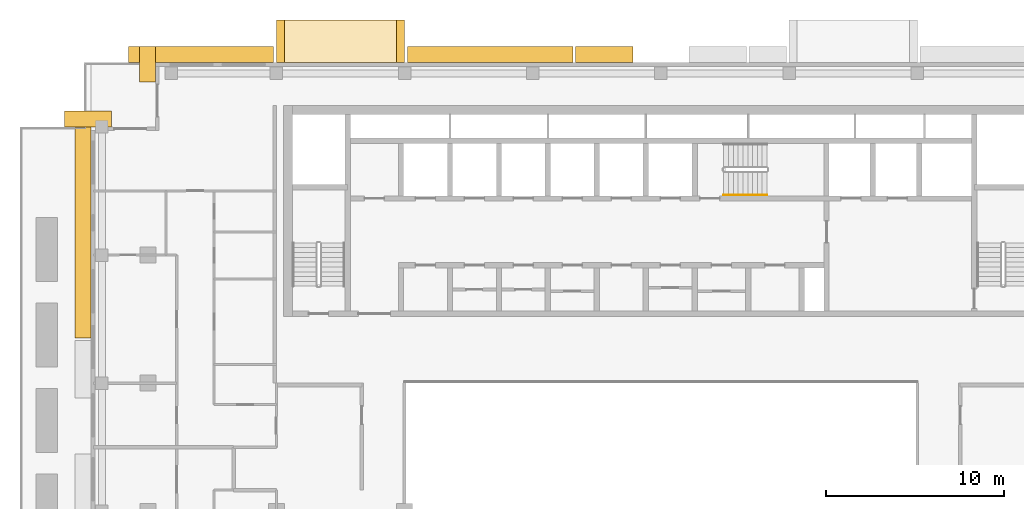
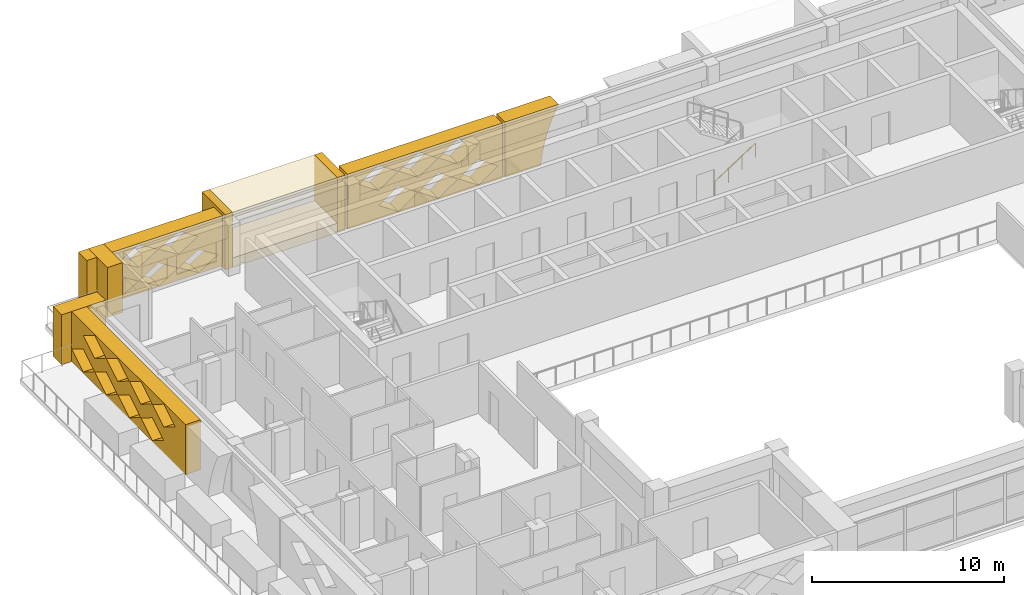
# One storey, part 17 of 19: 10 coverings, 1 railing.
"""IFC4 building model written with IfcOpenShell, lengths in metres."""

from ifc_helpers import new_model, si_unit, direction, frame, origin, origin_2d, place, context, subcontext, project, spatial, polyline, circle, outline, extrude, material, type_object, element, save


model = new_model("IFC4")

# Units and contexts
model_context = context("Model", 3, precision=1e-05, world=origin(), true_north=direction((0.0, 1.0)))
body_context = subcontext(model_context, "Body", "Model", "MODEL_VIEW")
ifc_project = project(units=[si_unit("LENGTHUNIT", "METRE"), si_unit("AREAUNIT", "SQUARE_METRE"), si_unit("VOLUMEUNIT", "CUBIC_METRE"), si_unit("PLANEANGLEUNIT", "RADIAN"), si_unit("MASSUNIT", "GRAM", prefix="KILO")], contexts=[model_context])

# Site, building, storey
site_placement = place(None, origin())
site = spatial("IfcSite", under=ifc_project, at=site_placement, CompositionType="ELEMENT")
building_placement = place(site_placement, origin())
building = spatial("IfcBuilding", under=site, at=building_placement, Name="Saffron Iwan Residences", CompositionType="ELEMENT")
storey_placement = place(building_placement, frame((0.0, 0.0, 211.5)))
storey = spatial("IfcBuildingStorey", under=building, at=storey_placement, Name="L56", CompositionType="ELEMENT", Elevation=211.5)

# Coverings
ifc_material_1 = material(Name="Precast concrete C40/50 white painted", Category="concrete")
covering_type_1 = type_object("IfcCoveringType", Name="IWAN PANEL PRECAST WHITE", PredefinedType="CLADDING", material=ifc_material_1)
covering_1_placement = place(storey_placement, frame((55.199951171875, 80.39990234375, -0.280029296875), z_axis=(0.0, 1.0, 0.0), x_axis=(-1.0, 0.0, 0.0)))
element("IfcCovering", 1, at=covering_1_placement, inside=storey, type_object=covering_type_1, Name="Iwan panel L56 F5.1", PredefinedType="CLADDING", context=body_context, shape_type="SweptSolid", body=[
    extrude(outline(polyline([(9.60009765625, 3.5), (9.60009765625, 0.0), (7.44970703125, 0.0), (7.386474609375, 0.532470703125), (7.245361328125, 1.241455078125), (7.048828125, 1.93701171875), (6.798095703125, 2.614990234375), (6.4951171875, 3.271484375), (6.366943359375, 3.5), (9.60009765625, 3.5)])), origin(), (0.0, 0.0, 1.0), 0.900146484375),
])
ifc_material_2 = material(Name="Precast concrete C40/50", Category="concrete")
covering_type_2 = type_object("IfcCoveringType", Name="OUTER SKIN LATTICE SCREEN", PredefinedType="CLADDING", material=ifc_material_2)
covering_2_placement = place(storey_placement, frame((45.449951171875, 80.39990234375, -0.280029296875), z_axis=(0.0, 1.0, 0.0), x_axis=(-1.0, 0.0, 0.0)))
element("IfcCovering", 2, at=covering_2_placement, inside=storey, type_object=covering_type_2, Name="OUTER SKIN lattice screen L56 F5.3", PredefinedType="CLADDING", context=body_context, shape_type="SweptSolid", body=[
    extrude(outline(polyline([(0.0, 0.0), (9.300048828125, 0.0), (9.300048828125, 3.5), (0.0, 3.5), (0.0, 0.0)]), holes=[polyline([(0.27001953125, 0.875), (1.449951171875, 0.06005859375), (2.6298828125, 0.875), (1.449951171875, 1.68994140625), (0.27001953125, 0.875)]), polyline([(2.669921875, 0.875), (3.85009765625, 0.06005859375), (5.030029296875, 0.875), (3.85009765625, 1.68994140625), (2.669921875, 0.875)]), polyline([(5.070068359375, 0.875), (6.25, 0.06005859375), (7.429931640625, 0.875), (6.25, 1.68994140625), (5.070068359375, 0.875)]), polyline([(1.469970703125, 2.625), (2.64990234375, 1.81005859375), (3.830078125, 2.625), (2.64990234375, 3.43994140625), (1.469970703125, 2.625)]), polyline([(3.8701171875, 2.625), (5.050048828125, 1.81005859375), (6.22998046875, 2.625), (5.050048828125, 3.43994140625), (3.8701171875, 2.625)]), polyline([(6.27001953125, 2.625), (7.449951171875, 1.81005859375), (8.6298828125, 2.625), (7.449951171875, 3.43994140625), (6.27001953125, 2.625)])]), origin(), (0.0, 0.0, 1.0), 0.900146484375),
])
covering_3_placement = place(storey_placement, frame((28.64990234375, 80.39990234375, 0.050048828125), z_axis=(0.0, 1.0, 0.0), x_axis=(-1.0, 0.0, 0.0)))
element("IfcCovering", 3, at=covering_3_placement, inside=storey, type_object=covering_type_2, Name="OUTER SKIN lattice screen L56 F5.4", PredefinedType="CLADDING", context=body_context, shape_type="SweptSolid", body=[
    extrude(outline(polyline([(0.0, 0.0), (8.14990234375, 0.0), (8.14990234375, 3.169921875), (0.0, 3.169921875), (0.0, 0.0)]), holes=[polyline([(0.27001953125, 0.79248046875), (1.449951171875, 0.06005859375), (2.6298828125, 0.79248046875), (1.449951171875, 1.52490234375), (0.27001953125, 0.79248046875)]), polyline([(2.669921875, 0.79248046875), (3.85009765625, 0.06005859375), (5.030029296875, 0.79248046875), (3.85009765625, 1.52490234375), (2.669921875, 0.79248046875)]), polyline([(5.070068359375, 0.79248046875), (6.25, 0.06005859375), (7.429931640625, 0.79248046875), (6.25, 1.52490234375), (5.070068359375, 0.79248046875)]), polyline([(1.469970703125, 2.37744140625), (2.64990234375, 1.64501953125), (3.830078125, 2.37744140625), (2.64990234375, 3.110107421875), (1.469970703125, 2.37744140625)]), polyline([(3.8701171875, 2.37744140625), (5.050048828125, 1.64501953125), (6.22998046875, 2.37744140625), (5.050048828125, 3.110107421875), (3.8701171875, 2.37744140625)])]), origin(), (0.0, 0.0, 1.0), 0.900146484375),
])
covering_4_placement = place(storey_placement, frame((22.0, 81.300048828125, 0.050048828125), z_axis=(-1.0, 0.0, 0.0), x_axis=(0.0, -1.0, 0.0)))
element("IfcCovering", 4, at=covering_4_placement, inside=storey, type_object=covering_type_2, Name="OUTER SKIN lattice screen L56 F6.0", PredefinedType="CLADDING", context=body_context, shape_type="SweptSolid", body=[
    extrude(outline(polyline([(0.0, 0.0), (1.97509765625, 0.0), (1.97509765625, 3.169921875), (0.0, 3.169921875), (0.0, 0.0)])), origin(), (0.0, 0.0, 1.0), 0.89990234375),
])
covering_5_placement = place(storey_placement, frame((19.550048828125, 76.800048828125, 0.050048828125), z_axis=(0.0, 1.0, 0.0), x_axis=(-1.0, 0.0, 0.0)))
element("IfcCovering", 5, at=covering_5_placement, inside=storey, type_object=covering_type_2, Name="OUTER SKIN lattice screen L56 F7.0", PredefinedType="CLADDING", context=body_context, shape_type="SweptSolid", body=[
    extrude(outline(polyline([(0.0, 0.0), (2.64990234375, 0.0), (2.64990234375, 3.169921875), (0.0, 3.169921875), (0.0, 0.0)])), origin(), (0.0, 0.0, 1.0), 0.89990234375),
])
covering_6_placement = place(storey_placement, frame((18.39990234375, 77.699951171875, 0.050048828125), z_axis=(-1.0, 0.0, 0.0), x_axis=(0.0, -1.0, 0.0)))
element("IfcCovering", 6, at=covering_6_placement, inside=storey, type_object=covering_type_2, Name="OUTER SKIN lattice screen L56 F8.0", PredefinedType="CLADDING", context=body_context, shape_type="SweptSolid", body=[
    extrude(outline(polyline([(0.0, 0.0), (12.75, 0.0), (12.75, 3.169921875), (0.0, 3.169921875), (0.0, 0.0)]), holes=[polyline([(0.919921875, 0.79248046875), (2.10009765625, 0.06005859375), (3.280029296875, 0.79248046875), (2.10009765625, 1.52490234375), (0.919921875, 0.79248046875)]), polyline([(3.320068359375, 0.79248046875), (4.5, 0.06005859375), (5.679931640625, 0.79248046875), (4.5, 1.52490234375), (3.320068359375, 0.79248046875)]), polyline([(5.719970703125, 0.79248046875), (6.89990234375, 0.06005859375), (8.080078125, 0.79248046875), (6.89990234375, 1.52490234375), (5.719970703125, 0.79248046875)]), polyline([(8.1201171875, 0.79248046875), (9.300048828125, 0.06005859375), (10.47998046875, 0.79248046875), (9.300048828125, 1.52490234375), (8.1201171875, 0.79248046875)]), polyline([(2.1201171875, 2.37744140625), (3.300048828125, 1.64501953125), (4.47998046875, 2.37744140625), (3.300048828125, 3.110107421875), (2.1201171875, 2.37744140625)]), polyline([(4.52001953125, 2.37744140625), (5.699951171875, 1.64501953125), (6.8798828125, 2.37744140625), (5.699951171875, 3.110107421875), (4.52001953125, 2.37744140625)]), polyline([(6.919921875, 2.37744140625), (8.10009765625, 1.64501953125), (9.280029296875, 2.37744140625), (8.10009765625, 3.110107421875), (6.919921875, 2.37744140625)]), polyline([(9.320068359375, 2.37744140625), (10.5, 1.64501953125), (11.679931640625, 2.37744140625), (10.5, 3.110107421875), (9.320068359375, 2.37744140625)])]), origin(), (0.0, 0.0, 1.0), 0.89990234375),
])

# Railing
ifc_material_3 = material(Name="Stainless steel 316", Category="steel")
railing_type = type_object("IfcRailingType", Name="Stair handrail 900", PredefinedType="HANDRAIL", material=ifc_material_3)
railing_placement = place(storey_placement, frame((53.925048828125, 72.97509765625, 0.175048828125)))
element("IfcRailing", 7, at=railing_placement, inside=storey, type_object=railing_type, Name="L56 ST-C stair handrail 1", PredefinedType="HANDRAIL", context=body_context, shape_type="SweptSolid", body=[
    extrude(circle(Radius=0.02392578125, at=origin_2d()), frame((0.0, 0.0, 0.8759765625), z_axis=(0.839153699163, 0.0, 0.543894354798), x_axis=(0.0, 1.0, 0.0)), (0.0, 0.0, 1.0), 2.895751953125),
    extrude(circle(Radius=0.02099609375, at=origin_2d()), origin(), (0.0, 0.0, 1.0), 0.851806640625),
    extrude(circle(Radius=0.02099609375, at=origin_2d()), frame((0.81005859375, 0.0, 0.52490234375)), (0.0, 0.0, 1.0), 0.851806640625),
    extrude(circle(Radius=0.02099609375, at=origin_2d()), frame((1.619873046875, 0.0, 1.050048828125)), (0.0, 0.0, 1.0), 0.851806640625),
    extrude(circle(Radius=0.02099609375, at=origin_2d()), frame((2.429931640625, 0.0, 1.574951171875)), (0.0, 0.0, 1.0), 0.851806640625),
])

# Coverings
covering_type_3 = type_object("IfcCoveringType", Name="WHITE SUN FRAME PRECAST", PredefinedType="CLADDING", material=ifc_material_1)
for number, where, z_axis, x_axis, name in (
    (8, (36.0, 80.39990234375, -0.280029296875), (0.0, 1.0, 0.0), (-1.0, 0.0, 0.0), "Sun frame L56 F5 42.8a"),
    (9, (29.25, 80.39990234375, -0.280029296875), (0.0, 1.0, 0.0), (-1.0, 0.0, 0.0), "Sun frame L56 F5 42.8b"),
):
    element("IfcCovering", number, at=place(storey_placement, frame(where, z_axis=z_axis, x_axis=x_axis)), inside=storey, type_object=covering_type_3, Name=name, PredefinedType="CLADDING", context=body_context, shape_type="SweptSolid", body=[
        extrude(outline(polyline([(0.0, 0.0), (0.449951171875, 0.0), (0.449951171875, 3.5), (0.0, 3.5), (0.0, 0.0)])), origin(), (0.0, 0.0, 1.0), 2.400146484375),
    ])
for number, where, z_axis, x_axis, name in (
    (10, (35.550048828125, 80.39990234375, 2.6201171875), (0.0, 1.0, 0.0), (-1.0, 0.0, 0.0), "Sun frame L56 F5 42.8h"),
    (11, (35.550048828125, 80.39990234375, -0.280029296875), (0.0, 1.0, 0.0), (-1.0, 0.0, 0.0), "Sun frame L56 F5 42.8s"),
):
    element("IfcCovering", number, at=place(storey_placement, frame(where, z_axis=z_axis, x_axis=x_axis)), inside=storey, type_object=covering_type_3, Name=name, PredefinedType="CLADDING", context=body_context, shape_type="SweptSolid", body=[
        extrude(outline(polyline([(0.0, 0.0), (6.300048828125, 0.0), (6.300048828125, 0.60009765625), (0.0, 0.60009765625), (0.0, 0.0)])), origin(), (0.0, 0.0, 1.0), 2.400146484375),
    ])

save(model, "model.ifc")
